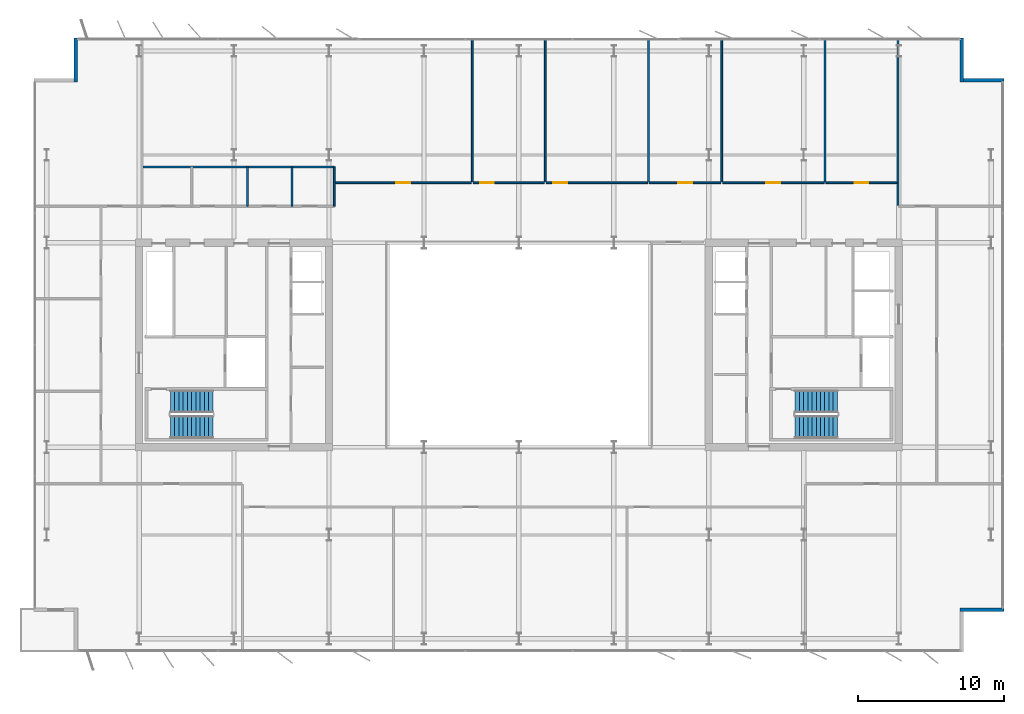
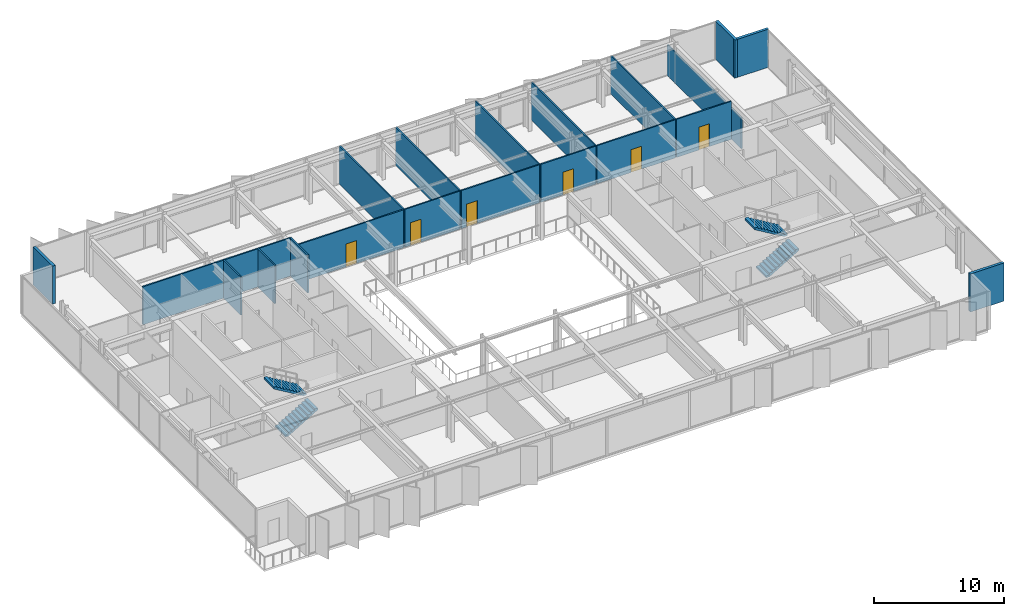
# One storey, part 19 of 23: 20 walls, 6 doors, 4 stair flights, 6 openings, 2 elements without a shape of their own.
"""IFC4 building model written with IfcOpenShell, lengths in metres."""

import ifcopenshell
import ifcopenshell.guid

model = None  # the IFC model being written
_history = None  # IfcOwnerHistory: only IFC2X3 demands one
_inside = {}  # id of a spatial element -> (the spatial element, [elements in it])
_under = {}  # id of a project, library or spatial element -> (it, [spatial elements below it])
_declared = {}  # id of a project -> (the project, [libraries it declares])
_typed = {}  # id of a type object -> (the type object, [elements of that type])
_made_of = {}  # id of a material, layer set ... -> (it, [elements and type objects made of it])


def new_model(schema):
    """Start an empty IFC model of exactly this schema.

    Asked for "IFC4X3", IfcOpenShell would pick the latest addendum, in which some entities
    have other attributes; the version numbers below select the first issue.
    IFC2X3 requires an IfcOwnerHistory on every rooted entity: one is made here for all.
    """
    global model, _history
    if schema == "IFC4X3":
        model = ifcopenshell.file(schema_version=(4, 3, 0, 0))
    else:
        model = ifcopenshell.file(schema=schema)
    _inside.clear()
    _under.clear()
    _declared.clear()
    _typed.clear()
    _made_of.clear()
    _history = None
    if model.schema == "IFC2X3":
        org = make("IfcOrganization", Name="unknown")
        user = make(
            "IfcPersonAndOrganization",
            ThePerson=make("IfcPerson", FamilyName="unknown"),
            TheOrganization=org,
        )
        app = make(
            "IfcApplication",
            ApplicationDeveloper=org,
            Version="unknown",
            ApplicationFullName="unknown",
            ApplicationIdentifier="unknown",
        )
        _history = make(
            "IfcOwnerHistory",
            OwningUser=user,
            OwningApplication=app,
            ChangeAction="ADDED",
            CreationDate=0,
        )
    return model


def make(cls, **values):
    """One entity of the class cls with the attributes given. An attribute that is None is left unset."""
    return model.create_entity(
        cls, **{name: value for name, value in values.items() if value is not None}
    )


def rooted(cls, **values):
    """An entity with a GlobalId (a new one), such as an element, a storey or a relation."""
    return make(cls, GlobalId=ifcopenshell.guid.new(), OwnerHistory=_history, **values)


def si_unit(unit_type, name, prefix=None):
    """IfcSIUnit, for example si_unit("LENGTHUNIT", "METRE", prefix="MILLI")."""
    return make("IfcSIUnit", UnitType=unit_type, Prefix=prefix, Name=name)


def assignment(units):
    """IfcUnitAssignment: the units of a project."""
    return None if units is None else make("IfcUnitAssignment", Units=units)


def point(xyz):
    """IfcCartesianPoint."""
    return None if xyz is None else make("IfcCartesianPoint", Coordinates=xyz)


def direction(xyz):
    """IfcDirection."""
    return None if xyz is None else make("IfcDirection", DirectionRatios=xyz)


def frame(location, z_axis=None, x_axis=None):
    """IfcAxis2Placement3D, a coordinate frame: its origin and axes. An axis left out is left unset."""
    return make(
        "IfcAxis2Placement3D",
        Location=point(location),
        Axis=direction(z_axis),
        RefDirection=direction(x_axis),
    )


def frame_2d(location, x_axis=None):
    """IfcAxis2Placement2D, a coordinate frame in the plane: its origin and x axis."""
    return make(
        "IfcAxis2Placement2D", Location=point(location), RefDirection=direction(x_axis)
    )


def origin():
    """The frame at (0, 0, 0) with its axes left unset."""
    return frame((0.0, 0.0, 0.0))


def place(relative_to, where):
    """IfcLocalPlacement: puts the frame where relative to a parent placement (None: the world)."""
    return make(
        "IfcLocalPlacement", PlacementRelTo=relative_to, RelativePlacement=where
    )


def context(
    kind, dimensions, precision=None, world=None, true_north=None, identifier=None
):
    """IfcGeometricRepresentationContext, for example the 3D "Model" context."""
    return make(
        "IfcGeometricRepresentationContext",
        ContextIdentifier=identifier,
        ContextType=kind,
        CoordinateSpaceDimension=dimensions,
        Precision=precision,
        WorldCoordinateSystem=world,
        TrueNorth=true_north,
    )


def subcontext(parent, identifier, kind, view, scale=None):
    """IfcGeometricRepresentationSubContext, for example "Body" below "Model"."""
    return make(
        "IfcGeometricRepresentationSubContext",
        ContextIdentifier=identifier,
        ContextType=kind,
        ParentContext=parent,
        TargetScale=scale,
        TargetView=view,
    )


def project(units=None, contexts=None):
    """IfcProject with its units and contexts."""
    return rooted(
        "IfcProject",
        Name="project",
        RepresentationContexts=contexts,
        UnitsInContext=assignment(units),
    )


def spatial(cls, under=None, at=None, **own):
    """A site, building, storey or space (cls), placed at a placement, below another one or the project."""
    s = rooted(cls, ObjectPlacement=at, **own)
    if under is not None:
        _under.setdefault(under.id(), (under, []))[1].append(s)
    return s


def polyline(points):
    """IfcPolyline through the points."""
    return make("IfcPolyline", Points=[point(p) for p in points])


def profile(cls, at=None, kind="AREA", **sizes):
    """A parametric profile (cls). Its sizes go by their IFC names, for example OverallWidth=200.0."""
    return make(cls, ProfileType=kind, Position=at, **sizes)


def rectangle(**sizes):
    """IfcRectangleProfileDef."""
    return profile("IfcRectangleProfileDef", **sizes)


def outline(outer, holes=None, kind="AREA"):
    """IfcArbitraryClosedProfileDef: a profile drawn as a closed curve; with holes, ...WithVoids."""
    if holes is None:
        return make("IfcArbitraryClosedProfileDef", ProfileType=kind, OuterCurve=outer)
    return make(
        "IfcArbitraryProfileDefWithVoids",
        ProfileType=kind,
        OuterCurve=outer,
        InnerCurves=holes,
    )


def extrude(swept, where, along, depth):
    """IfcExtrudedAreaSolid: the profile swept, set in the frame where, extruded along a direction by depth."""
    return make(
        "IfcExtrudedAreaSolid",
        SweptArea=swept,
        Position=where,
        ExtrudedDirection=direction(along),
        Depth=depth,
    )


def shape(context_of_items, identifier, shape_type, items):
    """IfcShapeRepresentation: the items that make up one representation, for example the "Body"."""
    return make(
        "IfcShapeRepresentation",
        ContextOfItems=context_of_items,
        RepresentationIdentifier=identifier,
        RepresentationType=shape_type,
        Items=items,
    )


def material(Name=None, Category=None):
    """IfcMaterial."""
    return make("IfcMaterial", Name=Name, Category=Category)


def layer(
    of_material, thickness, ventilated=None, Name=None, Category=None, Priority=None
):
    """IfcMaterialLayer: one layer of a wall or slab, of a material (None: an air gap)."""
    return make(
        "IfcMaterialLayer",
        Material=of_material,
        LayerThickness=thickness,
        IsVentilated=ventilated,
        Name=Name,
        Category=Category,
        Priority=Priority,
    )


def layer_set(layers, Name=None):
    """IfcMaterialLayerSet."""
    return make("IfcMaterialLayerSet", MaterialLayers=layers, LayerSetName=Name)


def made_of(thing, what):
    """Note that an element or type object is made of a material, layer set ...; save() writes the relation."""
    if what is not None:
        _made_of.setdefault(what.id(), (what, []))[1].append(thing)
    return thing


def type_object(cls, material=None, **own):
    """A type object (cls), such as IfcWallType, which elements share."""
    return made_of(rooted(cls, **own), material)


def element(
    cls,
    number,
    at=None,
    inside=None,
    cuts=None,
    type_object=None,
    material=None,
    context=None,
    identifier="Body",
    shape_type=None,
    held_by="IfcProductDefinitionShape",
    body=None,
    shapes=None,
    **own,
):
    """One element of the class cls, such as IfcWall. Its Tag is "e" and its number.

    at: its placement. inside: the storey or other place that contains it. cuts: it is an
    opening in that element (IfcRelVoidsElement). A single representation is given by context,
    identifier, shape_type and body (its items); several are given by shapes. held_by: the class
    of the entity that holds the representations. save() writes the other relations.
    """
    e = rooted(cls, Tag="e%d" % number, ObjectPlacement=at, **own)
    if body is not None:
        shapes = [shape(context, identifier, shape_type, body)]
    if shapes is not None:
        e.Representation = make(held_by, Representations=shapes)
    if inside is not None:
        _inside.setdefault(inside.id(), (inside, []))[1].append(e)
    if cuts is not None:
        rooted(
            "IfcRelVoidsElement", RelatingBuildingElement=cuts, RelatedOpeningElement=e
        )
    if type_object is not None:
        _typed.setdefault(type_object.id(), (type_object, []))[1].append(e)
    return made_of(e, material)


def fill(opening, filler):
    """IfcRelFillsElement: the door or window that sits in an opening."""
    return rooted(
        "IfcRelFillsElement",
        RelatingOpeningElement=opening,
        RelatedBuildingElement=filler,
    )


def aggregate(whole, parts):
    """IfcRelAggregates: a whole, such as a stair, and the parts it consists of."""
    return rooted("IfcRelAggregates", RelatingObject=whole, RelatedObjects=parts)


def save(model, path):
    """Write the relations noted so far, then the file.

    IfcRelAggregates (storeys below a building ...), IfcRelContainedInSpatialStructure (elements
    in a storey), IfcRelDefinesByType, IfcRelAssociatesMaterial and IfcRelDeclares: one each for
    every whole, place, type object, material and project.
    """
    for whole, parts in _under.values():
        aggregate(whole, parts)
    for where, things in _inside.values():
        rooted(
            "IfcRelContainedInSpatialStructure",
            RelatedElements=things,
            RelatingStructure=where,
        )
    for kind, things in _typed.values():
        rooted("IfcRelDefinesByType", RelatedObjects=things, RelatingType=kind)
    for what, things in _made_of.values():
        rooted("IfcRelAssociatesMaterial", RelatedObjects=things, RelatingMaterial=what)
    for by, libraries in _declared.values():
        rooted("IfcRelDeclares", RelatingContext=by, RelatedDefinitions=libraries)
    model.write(path)


model = new_model("IFC4")

# Units and contexts
model_context = context("Model", 3, precision=1e-05, world=origin(), true_north=direction((0.0, 1.0)))
body_context = subcontext(model_context, "Body", "Model", "MODEL_VIEW")
ifc_project = project(units=[si_unit("LENGTHUNIT", "METRE"), si_unit("AREAUNIT", "SQUARE_METRE"), si_unit("VOLUMEUNIT", "CUBIC_METRE"), si_unit("PLANEANGLEUNIT", "RADIAN"), si_unit("MASSUNIT", "GRAM", prefix="KILO")], contexts=[model_context])

# Site, building, storey
site_placement = place(None, origin())
site = spatial("IfcSite", under=ifc_project, at=site_placement, CompositionType="ELEMENT")
building_placement = place(site_placement, origin())
building = spatial("IfcBuilding", under=site, at=building_placement, Name="Putna Gate Headquarters", CompositionType="ELEMENT")
storey_placement = place(building_placement, frame((0.0, 0.0, 232.800048828125)))
storey = spatial("IfcBuildingStorey", under=building, at=storey_placement, Name="L58", CompositionType="ELEMENT", Elevation=232.800048828125)

# Walls
ifc_material_1 = material(Name="Precast concrete C40/50", Category="concrete")
ifc_layer_1 = layer(ifc_material_1, 0.239990234375)
ifc_layer_set_1 = layer_set([ifc_layer_1], Name="Precast concrete C40/50")
wall_type_1 = type_object("IfcWallType", Name="WALL-EXT-TERR-240", PredefinedType="STANDARD", material=ifc_layer_set_1)
for number, where, z_axis, x_axis, name in (
    (1, (8.679931640625, 44.0, 0.0), (0.0, 0.0, 1.0), (0.0, 1.0, 0.0), "L58 Corner Notch Return Wall NW-V"),
    (2, (69.320068359375, 47.0, 0.0), (0.0, 0.0, 1.0), (0.0, -1.0, 0.0), "L58 Corner Notch Return Wall NE-V"),
    (3, (69.199951171875, 44.1201171875, 0.0), (0.0, 0.0, 1.0), (1.0, 0.0, 0.0), "L58 Corner Notch Return Wall NE-H"),
    (4, (72.199951171875, 7.8798828125, 0.0), (0.0, 0.0, 1.0), (-1.0, 0.0, 0.0), "L58 Corner Notch Return Wall SE-H"),
):
    element("IfcWall", number, at=place(storey_placement, frame(where, z_axis=z_axis, x_axis=x_axis)), inside=storey, type_object=wall_type_1, Name=name, PredefinedType="STANDARD", context=body_context, shape_type="SweptSolid", body=[
        extrude(rectangle(XDim=3.0, YDim=0.239990234375, at=frame_2d((1.5, 0.0))), origin(), (0.0, 0.0, 1.0), 3.579833984375),
    ])
ifc_material_2 = material(Name="Acoustic gypsum board on metal stud")
ifc_layer_2 = layer(ifc_material_2, 0.1201171875)
ifc_layer_set_2 = layer_set([ifc_layer_2], Name="Acoustic gypsum board on metal stud")
wall_type_2 = type_object("IfcWallType", Name="WALL-PART-120", PredefinedType="PARTITIONING", material=ifc_layer_set_2)
for number, where, z_axis, x_axis, name in (
    (5, (35.800048828125, 37.159912109375, 0.0), (0.0, 0.0, 1.0), (0.0, 1.0, 0.0), "L58 Interior Wall PART-L58-NB-DIV-02"),
    (6, (40.805908203125, 37.159912109375, 0.0), (0.0, 0.0, 1.0), (0.0, 1.0, 0.0), "L58 Interior Wall PART-L58-NB-DIV-03"),
    (7, (47.873291015625, 37.159912109375, 0.0), (0.0, 0.0, 1.0), (0.0, 1.0, 0.0), "L58 Interior Wall PART-L58-NB-DIV-04"),
    (8, (52.87939453125, 37.159912109375, 0.0), (0.0, 0.0, 1.0), (0.0, 1.0, 0.0), "L58 Interior Wall PART-L58-NB-DIV-05"),
    (9, (59.94677734375, 37.159912109375, 0.0), (0.0, 0.0, 1.0), (0.0, 1.0, 0.0), "L58 Interior Wall PART-L58-NB-DIV-06"),
):
    element("IfcWall", number, at=place(storey_placement, frame(where, z_axis=z_axis, x_axis=x_axis)), inside=storey, type_object=wall_type_2, Name=name, PredefinedType="PARTITIONING", context=body_context, shape_type="SweptSolid", body=[
        extrude(rectangle(XDim=9.820068359375, YDim=0.1201171875, at=frame_2d((4.91015625, 0.0))), origin(), (0.0, 0.0, 1.0), 3.579833984375),
    ])
wall_1_placement = place(storey_placement, frame((64.95263671875, 35.56005859375, 0.0), z_axis=(0.0, 0.0, 1.0), x_axis=(0.0, 1.0, 0.0)))
element("IfcWall", 10, at=wall_1_placement, inside=storey, type_object=wall_type_2, Name="L58 Interior Wall PART-L58-NB-DIV-07", PredefinedType="PARTITIONING", context=body_context, shape_type="SweptSolid", body=[
    extrude(rectangle(XDim=11.419921875, YDim=0.1201171875, at=frame_2d((5.7099609375, 0.0))), origin(), (0.0, 0.0, 1.0), 2.8798828125),
])
ifc_material_3 = material(Name="Fire-rated gypsum board on metal stud")
ifc_layer_3 = layer(ifc_material_3, 0.1201171875)
ifc_layer_set_3 = layer_set([ifc_layer_3], Name="Fire-rated gypsum board on metal stud")
wall_type_3 = type_object("IfcWallType", Name="WALL-PART-120-RATED", PredefinedType="PARTITIONING", material=ifc_layer_set_3)
wall_2_placement = place(storey_placement, frame((13.199951171875, 38.179931640625, 0.0), z_axis=(0.0, 0.0, 1.0), x_axis=(1.0, 0.0, 0.0)))
element("IfcWall", 11, at=wall_2_placement, inside=storey, type_object=wall_type_3, Name="L58 Interior Wall PART-L58-SAN-BACK", PredefinedType="PARTITIONING", context=body_context, shape_type="SweptSolid", body=[
    extrude(rectangle(XDim=13.16015625, YDim=0.1201171875, at=frame_2d((6.580078125, 0.0))), origin(), (0.0, 0.0, 1.0), 3.579833984375),
])
for number, where, z_axis, x_axis, name in (
    (12, (20.419921875, 35.5, 0.0), (0.0, 0.0, 1.0), (0.0, 1.0, 0.0), "L58 Interior Wall PART-L58-SAN-DIV-2"),
    (13, (23.4599609375, 35.5, 0.0), (0.0, 0.0, 1.0), (0.0, 1.0, 0.0), "L58 Interior Wall PART-L58-SAN-DIV-3"),
    (14, (26.360107421875, 35.5, 0.0), (0.0, 0.0, 1.0), (0.0, 1.0, 0.0), "L58 Interior Wall PART-L58-SAN-DIV-4"),
):
    element("IfcWall", number, at=place(storey_placement, frame(where, z_axis=z_axis, x_axis=x_axis)), inside=storey, type_object=wall_type_3, Name=name, PredefinedType="PARTITIONING", context=body_context, shape_type="SweptSolid", body=[
        extrude(rectangle(XDim=2.679931640625, YDim=0.1201171875, at=frame_2d((1.33984375, 0.0))), origin(), (0.0, 0.0, 1.0), 3.579833984375),
    ])

# Wall, opening, door
wall_3_placement = place(storey_placement, frame((26.419921875, 37.10009765625, 0.0), z_axis=(0.0, 0.0, 1.0), x_axis=(1.0, 0.0, 0.0)))
wall_3 = element("IfcWall", 15, at=wall_3_placement, inside=storey, type_object=wall_type_3, Name="L58 Interior Wall PART-L58-NB-CW-02", PredefinedType="PARTITIONING", context=body_context, shape_type="SweptSolid", body=[
    extrude(rectangle(XDim=9.320068359375, YDim=0.1201171875, at=frame_2d((4.66015625, 0.0))), origin(), (0.0, 0.0, 1.0), 3.579833984375),
])
opening_1_placement = place(wall_3_placement, frame((4.18505859375, 0.0, 0.0)))
opening_1 = element("IfcOpeningElement", 16, at=opening_1_placement, cuts=wall_3, Name="Opening FD-95", PredefinedType="OPENING", context=body_context, shape_type="SweptSolid", body=[
    extrude(rectangle(XDim=0.949951171875, YDim=2.14990234375, at=frame_2d((0.47509765625, 1.074951171875))), frame((0.0, 0.070068359375, 0.0), z_axis=(0.0, -1.0, 0.0), x_axis=(1.0, 0.0, 0.0)), (0.0, 0.0, 1.0), 0.14013671875),
])
ifc_material_4 = material(Name="Acoustic timber fire door", Category="wood")
door_type = type_object("IfcDoorType", Name="DOOR-FIRE-950", OperationType="NOTDEFINED", PredefinedType="DOOR", material=ifc_material_4)
door_1_placement = place(opening_1_placement, origin())
door_1 = element("IfcDoor", 17, at=door_1_placement, inside=storey, type_object=door_type, Name="L58 Primary Open Office Workplace Door", OperationType="SINGLE_SWING_LEFT", OverallHeight=2.14990234375, OverallWidth=0.949951171875, PredefinedType="DOOR", context=body_context, shape_type="SweptSolid", body=[
    extrude(rectangle(XDim=0.949951171875, YDim=2.14990234375, at=frame_2d((0.47509765625, 1.074951171875))), frame((0.0, 0.02490234375, 0.0), z_axis=(0.0, -1.0, 0.0), x_axis=(1.0, 0.0, 0.0)), (0.0, 0.0, 1.0), 0.050048828125),
])
fill(opening_1, door_1)

wall_4_placement = place(storey_placement, frame((35.860107421875, 37.10009765625, 0.0), z_axis=(0.0, 0.0, 1.0), x_axis=(1.0, 0.0, 0.0)))
wall_4 = element("IfcWall", 18, at=wall_4_placement, inside=storey, type_object=wall_type_3, Name="L58 Interior Wall PART-L58-NB-CW-03", PredefinedType="PARTITIONING", context=body_context, shape_type="SweptSolid", body=[
    extrude(rectangle(XDim=4.885986328125, YDim=0.1201171875, at=frame_2d((2.44287109375, 0.0))), origin(), (0.0, 0.0, 1.0), 3.579833984375),
])
opening_2_placement = place(wall_4_placement, frame((0.47998046875, 0.0, 0.0)))
opening_2 = element("IfcOpeningElement", 19, at=opening_2_placement, cuts=wall_4, Name="Opening FD-95", PredefinedType="OPENING", context=body_context, shape_type="SweptSolid", body=[
    extrude(rectangle(XDim=0.949951171875, YDim=2.14990234375, at=frame_2d((0.47509765625, 1.074951171875))), frame((0.0, 0.070068359375, 0.0), z_axis=(0.0, -1.0, 0.0), x_axis=(1.0, 0.0, 0.0)), (0.0, 0.0, 1.0), 0.14013671875),
])
door_2_placement = place(opening_2_placement, origin())
door_2 = element("IfcDoor", 20, at=door_2_placement, inside=storey, type_object=door_type, Name="L58 Conference Meeting Room 3 Door", OperationType="SINGLE_SWING_RIGHT", OverallHeight=2.14990234375, OverallWidth=0.949951171875, PredefinedType="DOOR", context=body_context, shape_type="SweptSolid", body=[
    extrude(rectangle(XDim=0.949951171875, YDim=2.14990234375, at=frame_2d((0.47509765625, 1.074951171875))), frame((0.0, 0.02490234375, 0.0), z_axis=(0.0, -1.0, 0.0), x_axis=(1.0, 0.0, 0.0)), (0.0, 0.0, 1.0), 0.050048828125),
])
fill(opening_2, door_2)

wall_5_placement = place(storey_placement, frame((40.865966796875, 37.10009765625, 0.0), z_axis=(0.0, 0.0, 1.0), x_axis=(1.0, 0.0, 0.0)))
wall_5 = element("IfcWall", 21, at=wall_5_placement, inside=storey, type_object=wall_type_3, Name="L58 Interior Wall PART-L58-NB-CW-04", PredefinedType="PARTITIONING", context=body_context, shape_type="SweptSolid", body=[
    extrude(rectangle(XDim=6.947265625, YDim=0.1201171875, at=frame_2d((3.4736328125, 0.0))), origin(), (0.0, 0.0, 1.0), 3.579833984375),
])
opening_3_placement = place(wall_5_placement, frame((0.47998046875, 0.0, 0.0)))
opening_3 = element("IfcOpeningElement", 22, at=opening_3_placement, cuts=wall_5, Name="Opening FD-95", PredefinedType="OPENING", context=body_context, shape_type="SweptSolid", body=[
    extrude(rectangle(XDim=0.949951171875, YDim=2.14990234375, at=frame_2d((0.47509765625, 1.074951171875))), frame((0.0, 0.070068359375, 0.0), z_axis=(0.0, -1.0, 0.0), x_axis=(1.0, 0.0, 0.0)), (0.0, 0.0, 1.0), 0.14013671875),
])
door_3_placement = place(opening_3_placement, origin())
door_3 = element("IfcDoor", 23, at=door_3_placement, inside=storey, type_object=door_type, Name="L58 Conference Meeting Room 4 Door", OperationType="SINGLE_SWING_LEFT", OverallHeight=2.14990234375, OverallWidth=0.949951171875, PredefinedType="DOOR", context=body_context, shape_type="SweptSolid", body=[
    extrude(rectangle(XDim=0.949951171875, YDim=2.14990234375, at=frame_2d((0.47509765625, 1.074951171875))), frame((0.0, 0.02490234375, 0.0), z_axis=(0.0, -1.0, 0.0), x_axis=(1.0, 0.0, 0.0)), (0.0, 0.0, 1.0), 0.050048828125),
])
fill(opening_3, door_3)

wall_6_placement = place(storey_placement, frame((47.933349609375, 37.10009765625, 0.0), z_axis=(0.0, 0.0, 1.0), x_axis=(1.0, 0.0, 0.0)))
wall_6 = element("IfcWall", 24, at=wall_6_placement, inside=storey, type_object=wall_type_3, Name="L58 Interior Wall PART-L58-NB-CW-05", PredefinedType="PARTITIONING", context=body_context, shape_type="SweptSolid", body=[
    extrude(rectangle(XDim=4.885986328125, YDim=0.1201171875, at=frame_2d((2.44287109375, 0.0))), origin(), (0.0, 0.0, 1.0), 3.579833984375),
])
opening_4_placement = place(wall_6_placement, frame((1.968017578125, 0.0, 0.0)))
opening_4 = element("IfcOpeningElement", 25, at=opening_4_placement, cuts=wall_6, Name="Opening FD-95", PredefinedType="OPENING", context=body_context, shape_type="SweptSolid", body=[
    extrude(rectangle(XDim=0.949951171875, YDim=2.14990234375, at=frame_2d((0.47509765625, 1.074951171875))), frame((0.0, 0.070068359375, 0.0), z_axis=(0.0, -1.0, 0.0), x_axis=(1.0, 0.0, 0.0)), (0.0, 0.0, 1.0), 0.14013671875),
])
door_4_placement = place(opening_4_placement, origin())
door_4 = element("IfcDoor", 26, at=door_4_placement, inside=storey, type_object=door_type, Name="L58 Conference Meeting Room 5 Door", OperationType="SINGLE_SWING_RIGHT", OverallHeight=2.14990234375, OverallWidth=0.949951171875, PredefinedType="DOOR", context=body_context, shape_type="SweptSolid", body=[
    extrude(rectangle(XDim=0.949951171875, YDim=2.14990234375, at=frame_2d((0.47509765625, 1.074951171875))), frame((0.0, 0.02490234375, 0.0), z_axis=(0.0, -1.0, 0.0), x_axis=(1.0, 0.0, 0.0)), (0.0, 0.0, 1.0), 0.050048828125),
])
fill(opening_4, door_4)

wall_7_placement = place(storey_placement, frame((52.939208984375, 37.10009765625, 0.0), z_axis=(0.0, 0.0, 1.0), x_axis=(1.0, 0.0, 0.0)))
wall_7 = element("IfcWall", 27, at=wall_7_placement, inside=storey, type_object=wall_type_3, Name="L58 Interior Wall PART-L58-NB-CW-06", PredefinedType="PARTITIONING", context=body_context, shape_type="SweptSolid", body=[
    extrude(rectangle(XDim=6.947509765625, YDim=0.1201171875, at=frame_2d((3.4736328125, 0.0))), origin(), (0.0, 0.0, 1.0), 3.579833984375),
])
opening_5_placement = place(wall_7_placement, frame((2.998779296875, 0.0, 0.0)))
opening_5 = element("IfcOpeningElement", 28, at=opening_5_placement, cuts=wall_7, Name="Opening FD-95", PredefinedType="OPENING", context=body_context, shape_type="SweptSolid", body=[
    extrude(rectangle(XDim=0.949951171875, YDim=2.14990234375, at=frame_2d((0.47509765625, 1.074951171875))), frame((0.0, 0.070068359375, 0.0), z_axis=(0.0, -1.0, 0.0), x_axis=(1.0, 0.0, 0.0)), (0.0, 0.0, 1.0), 0.14013671875),
])
door_5_placement = place(opening_5_placement, origin())
door_5 = element("IfcDoor", 29, at=door_5_placement, inside=storey, type_object=door_type, Name="L58 Collaborative Breakout Lounge 1 Door", OperationType="SINGLE_SWING_LEFT", OverallHeight=2.14990234375, OverallWidth=0.949951171875, PredefinedType="DOOR", context=body_context, shape_type="SweptSolid", body=[
    extrude(rectangle(XDim=0.949951171875, YDim=2.14990234375, at=frame_2d((0.47509765625, 1.074951171875))), frame((0.0, 0.02490234375, 0.0), z_axis=(0.0, -1.0, 0.0), x_axis=(1.0, 0.0, 0.0)), (0.0, 0.0, 1.0), 0.050048828125),
])
fill(opening_5, door_5)

wall_8_placement = place(storey_placement, frame((60.006591796875, 37.10009765625, 0.0), z_axis=(0.0, 0.0, 1.0), x_axis=(1.0, 0.0, 0.0)))
wall_8 = element("IfcWall", 30, at=wall_8_placement, inside=storey, type_object=wall_type_3, Name="L58 Interior Wall PART-L58-NB-CW-07", PredefinedType="PARTITIONING", context=body_context, shape_type="SweptSolid", body=[
    extrude(rectangle(XDim=4.885986328125, YDim=0.1201171875, at=frame_2d((2.44287109375, 0.0))), origin(), (0.0, 0.0, 1.0), 3.579833984375),
])
opening_6_placement = place(wall_8_placement, frame((1.968017578125, 0.0, 0.0)))
opening_6 = element("IfcOpeningElement", 31, at=opening_6_placement, cuts=wall_8, Name="Opening FD-95", PredefinedType="OPENING", context=body_context, shape_type="SweptSolid", body=[
    extrude(rectangle(XDim=0.949951171875, YDim=2.14990234375, at=frame_2d((0.47509765625, 1.074951171875))), frame((0.0, 0.070068359375, 0.0), z_axis=(0.0, -1.0, 0.0), x_axis=(1.0, 0.0, 0.0)), (0.0, 0.0, 1.0), 0.14013671875),
])
door_6_placement = place(opening_6_placement, origin())
door_6 = element("IfcDoor", 32, at=door_6_placement, inside=storey, type_object=door_type, Name="L58 Quiet Wellness Focus Studio 1 Door", OperationType="SINGLE_SWING_RIGHT", OverallHeight=2.14990234375, OverallWidth=0.949951171875, PredefinedType="DOOR", context=body_context, shape_type="SweptSolid", body=[
    extrude(rectangle(XDim=0.949951171875, YDim=2.14990234375, at=frame_2d((0.47509765625, 1.074951171875))), frame((0.0, 0.02490234375, 0.0), z_axis=(0.0, -1.0, 0.0), x_axis=(1.0, 0.0, 0.0)), (0.0, 0.0, 1.0), 0.050048828125),
])
fill(opening_6, door_6)

# Stair, stair flights
ifc_material_5 = material(Name="Concrete C40/50", Category="concrete")
stair_type_1 = type_object("IfcStairType", Name="STAIR-ST1", PredefinedType="HALF_TURN_STAIR", material=ifc_material_5)
stair_1_placement = place(storey_placement, origin())
stair_1 = element("IfcStair", 33, at=stair_1_placement, inside=storey, type_object=stair_type_1, Name="L58 West Core Exit Stair ST1", PredefinedType="HALF_TURN_STAIR")
stair_flight_type_1 = type_object("IfcStairFlightType", Name="FLIGHT-ST1", PredefinedType="STRAIGHT", material=ifc_material_5)
stair_flight_1_placement = place(storey_placement, frame((15.14990234375, 20.375, 0.0), z_axis=(0.0, 0.0, 1.0), x_axis=(1.0, 0.0, 0.0)))
stair_flight_1 = element("IfcStairFlight", 34, at=stair_flight_1_placement, type_object=stair_flight_type_1, Name="ST1 flight 1", NumberOfRisers=11, NumberOfTreads=10, PredefinedType="STRAIGHT", RiserHeight=0.172727273, TreadLength=0.29, context=body_context, shape_type="SweptSolid", body=[
    extrude(outline(polyline([(0.0, 0.0), (0.0, 0.172607421875), (0.2900390625, 0.172607421875), (0.2900390625, 0.345458984375), (0.580078125, 0.345458984375), (0.580078125, 0.51806640625), (0.8701171875, 0.51806640625), (0.8701171875, 0.69091796875), (1.159912109375, 0.69091796875), (1.159912109375, 0.863525390625), (1.449951171875, 0.863525390625), (1.449951171875, 1.036376953125), (1.739990234375, 1.036376953125), (1.739990234375, 1.208984375), (2.030029296875, 1.208984375), (2.030029296875, 1.3818359375), (2.320068359375, 1.3818359375), (2.320068359375, 1.554443359375), (2.610107421875, 1.554443359375), (2.610107421875, 1.727294921875), (2.89990234375, 1.727294921875), (2.89990234375, 1.89990234375), (2.89990234375, 1.552734375), (0.29296875, 0.0), (0.0, 0.0)])), frame((0.0, 0.77490234375, 0.0), z_axis=(0.0, -1.0, 0.0), x_axis=(1.0, 0.0, 0.0)), (0.0, 0.0, 1.0), 1.550048828125),
])
stair_flight_2_placement = place(storey_placement, frame((18.050048828125, 22.125, 1.89990234375), z_axis=(0.0, 0.0, 1.0), x_axis=(-1.0, 0.0, 0.0)))
stair_flight_2 = element("IfcStairFlight", 35, at=stair_flight_2_placement, type_object=stair_flight_type_1, Name="ST1 flight 2", NumberOfRisers=11, NumberOfTreads=10, PredefinedType="STRAIGHT", RiserHeight=0.172727273, TreadLength=0.29, context=body_context, shape_type="SweptSolid", body=[
    extrude(outline(polyline([(0.0, 0.0), (0.0, 0.172607421875), (0.2900390625, 0.172607421875), (0.2900390625, 0.345458984375), (0.580078125, 0.345458984375), (0.580078125, 0.51806640625), (0.8701171875, 0.51806640625), (0.8701171875, 0.69091796875), (1.159912109375, 0.69091796875), (1.159912109375, 0.863525390625), (1.449951171875, 0.863525390625), (1.449951171875, 1.036376953125), (1.739990234375, 1.036376953125), (1.739990234375, 1.208984375), (2.030029296875, 1.208984375), (2.030029296875, 1.3818359375), (2.320068359375, 1.3818359375), (2.320068359375, 1.554443359375), (2.610107421875, 1.554443359375), (2.610107421875, 1.727294921875), (2.89990234375, 1.727294921875), (2.89990234375, 1.89990234375), (2.89990234375, 1.552734375), (0.29296875, 0.0), (0.0, 0.0)])), frame((0.0, 0.77490234375, 0.0), z_axis=(0.0, -1.0, 0.0), x_axis=(1.0, 0.0, 0.0)), (0.0, 0.0, 1.0), 1.550048828125),
])
aggregate(stair_1, [stair_flight_1, stair_flight_2])

stair_type_2 = type_object("IfcStairType", Name="STAIR-ST2", PredefinedType="HALF_TURN_STAIR", material=ifc_material_5)
stair_2_placement = place(storey_placement, origin())
stair_2 = element("IfcStair", 36, at=stair_2_placement, inside=storey, type_object=stair_type_2, Name="L58 East Core Exit Stair ST2", PredefinedType="HALF_TURN_STAIR")
stair_flight_type_2 = type_object("IfcStairFlightType", Name="FLIGHT-ST2", PredefinedType="STRAIGHT", material=ifc_material_5)
stair_flight_3_placement = place(storey_placement, frame((57.89990234375, 20.375, 0.0), z_axis=(0.0, 0.0, 1.0), x_axis=(1.0, 0.0, 0.0)))
stair_flight_3 = element("IfcStairFlight", 37, at=stair_flight_3_placement, type_object=stair_flight_type_2, Name="ST2 flight 1", NumberOfRisers=11, NumberOfTreads=10, PredefinedType="STRAIGHT", RiserHeight=0.172727273, TreadLength=0.29, context=body_context, shape_type="SweptSolid", body=[
    extrude(outline(polyline([(0.0, 0.0), (0.0, 0.172607421875), (0.2900390625, 0.172607421875), (0.2900390625, 0.345458984375), (0.580078125, 0.345458984375), (0.580078125, 0.51806640625), (0.8701171875, 0.51806640625), (0.8701171875, 0.69091796875), (1.159912109375, 0.69091796875), (1.159912109375, 0.863525390625), (1.449951171875, 0.863525390625), (1.449951171875, 1.036376953125), (1.739990234375, 1.036376953125), (1.739990234375, 1.208984375), (2.030029296875, 1.208984375), (2.030029296875, 1.3818359375), (2.320068359375, 1.3818359375), (2.320068359375, 1.554443359375), (2.610107421875, 1.554443359375), (2.610107421875, 1.727294921875), (2.89990234375, 1.727294921875), (2.89990234375, 1.89990234375), (2.89990234375, 1.552734375), (0.29296875, 0.0), (0.0, 0.0)])), frame((0.0, 0.77490234375, 0.0), z_axis=(0.0, -1.0, 0.0), x_axis=(1.0, 0.0, 0.0)), (0.0, 0.0, 1.0), 1.550048828125),
])
stair_flight_4_placement = place(storey_placement, frame((60.800048828125, 22.125, 1.89990234375), z_axis=(0.0, 0.0, 1.0), x_axis=(-1.0, 0.0, 0.0)))
stair_flight_4 = element("IfcStairFlight", 38, at=stair_flight_4_placement, type_object=stair_flight_type_2, Name="ST2 flight 2", NumberOfRisers=11, NumberOfTreads=10, PredefinedType="STRAIGHT", RiserHeight=0.172727273, TreadLength=0.29, context=body_context, shape_type="SweptSolid", body=[
    extrude(outline(polyline([(0.0, 0.0), (0.0, 0.172607421875), (0.2900390625, 0.172607421875), (0.2900390625, 0.345458984375), (0.580078125, 0.345458984375), (0.580078125, 0.51806640625), (0.8701171875, 0.51806640625), (0.8701171875, 0.69091796875), (1.159912109375, 0.69091796875), (1.159912109375, 0.863525390625), (1.449951171875, 0.863525390625), (1.449951171875, 1.036376953125), (1.739990234375, 1.036376953125), (1.739990234375, 1.208984375), (2.030029296875, 1.208984375), (2.030029296875, 1.3818359375), (2.320068359375, 1.3818359375), (2.320068359375, 1.554443359375), (2.610107421875, 1.554443359375), (2.610107421875, 1.727294921875), (2.89990234375, 1.727294921875), (2.89990234375, 1.89990234375), (2.89990234375, 1.552734375), (0.29296875, 0.0), (0.0, 0.0)])), frame((0.0, 0.77490234375, 0.0), z_axis=(0.0, -1.0, 0.0), x_axis=(1.0, 0.0, 0.0)), (0.0, 0.0, 1.0), 1.550048828125),
])
aggregate(stair_2, [stair_flight_3, stair_flight_4])

save(model, "model.ifc")
